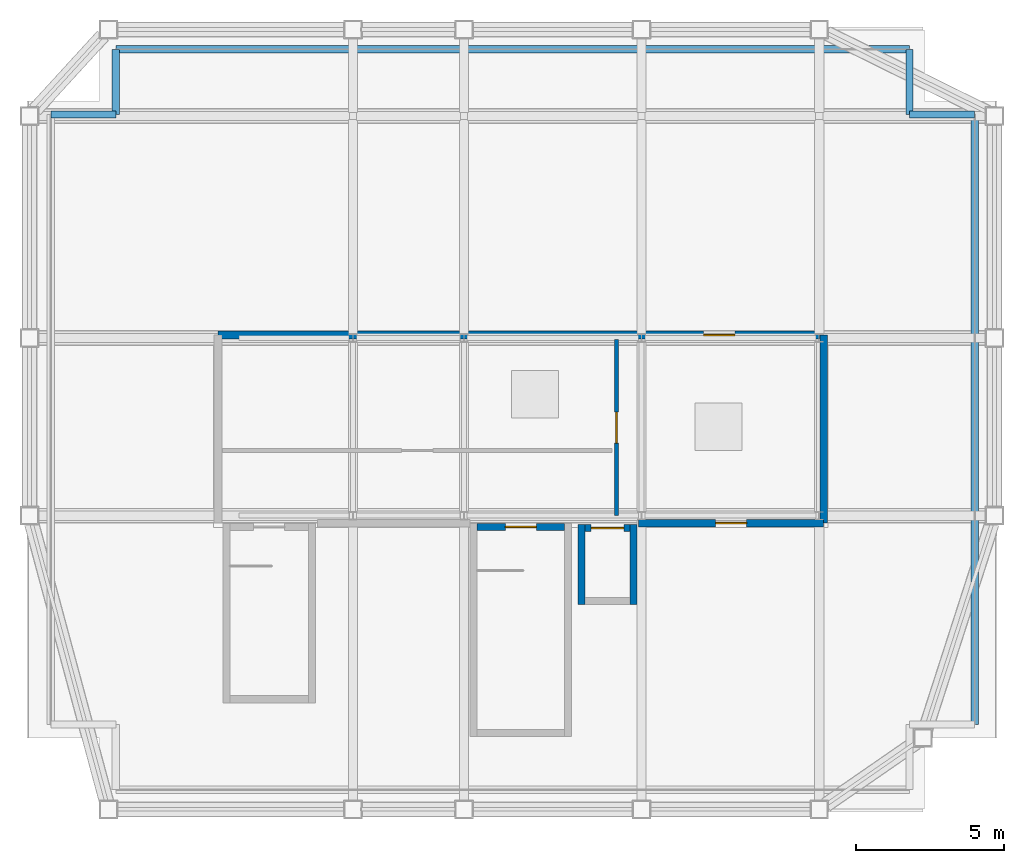
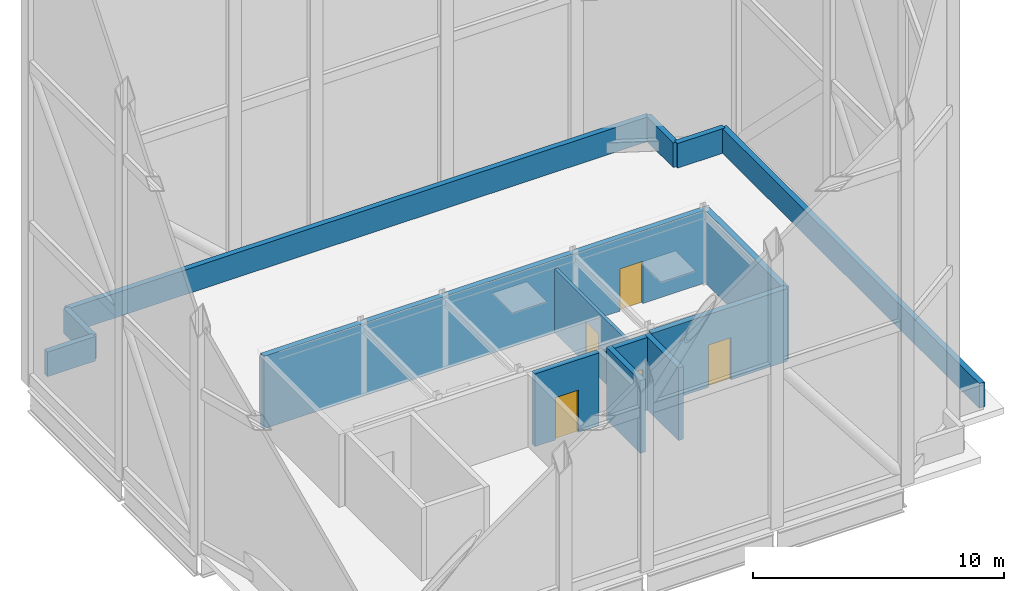
# One storey, part 4 of 6: 14 walls, 5 doors, 5 openings.
"""IFC4 building model written with IfcOpenShell, lengths in metres."""

from ifc_helpers import new_model, si_unit, direction, frame, frame_2d, origin, place, context, subcontext, project, spatial, rectangle, extrude, material, layer, layer_set, type_object, element, fill, save


model = new_model("IFC4")

# Units and contexts
model_context = context("Model", 3, precision=1e-05, world=origin(), true_north=direction((0.0, 1.0)))
body_context = subcontext(model_context, "Body", "Model", "MODEL_VIEW")
ifc_project = project(units=[si_unit("LENGTHUNIT", "METRE"), si_unit("AREAUNIT", "SQUARE_METRE"), si_unit("VOLUMEUNIT", "CUBIC_METRE"), si_unit("PLANEANGLEUNIT", "RADIAN"), si_unit("MASSUNIT", "GRAM", prefix="KILO")], contexts=[model_context])

# Site, building, storey
site_placement = place(None, origin())
site = spatial("IfcSite", under=ifc_project, at=site_placement, CompositionType="ELEMENT")
building_placement = place(site_placement, origin())
building = spatial("IfcBuilding", under=site, at=building_placement, Name="Brevholm Reach", CompositionType="ELEMENT")
storey_placement = place(building_placement, frame((0.0, 0.0, 251.449951171875)))
storey = spatial("IfcBuildingStorey", under=building, at=storey_placement, Name="RF", CompositionType="ELEMENT", Elevation=251.449951171875)

# Wall, opening, door
ifc_material_1 = material(Name="Concrete C45/55", Category="concrete")
ifc_layer_1 = layer(ifc_material_1, 0.239990234375)
ifc_layer_set_1 = layer_set([ifc_layer_1], Name="Concrete C45/55")
wall_type_1 = type_object("IfcWallType", Name="WAL-COR-240", PredefinedType="SHEAR", material=ifc_layer_set_1)
wall_1_placement = place(storey_placement, frame((45.39990234375, 9.6201171875, 0.0), z_axis=(0.0, 0.0, 1.0), x_axis=(-1.0, 0.0, 0.0)))
wall_1 = element("IfcWall", 1, at=wall_1_placement, inside=storey, type_object=wall_type_1, Name="RF Escape Stair ST-2 Core Wall N", PredefinedType="SHEAR", context=body_context, shape_type="SweptSolid", body=[
    extrude(rectangle(XDim=2.949951171875, YDim=0.239990234375, at=frame_2d((1.47509765625, 0.0))), origin(), (0.0, 0.0, 1.0), 3.5400390625),
])
opening_1_placement = place(wall_1_placement, frame((0.949951171875, 0.0, 0.0)))
opening_1 = element("IfcOpeningElement", 2, at=opening_1_placement, cuts=wall_1, Name="Opening SD-ST-2", PredefinedType="OPENING", context=body_context, shape_type="SweptSolid", body=[
    extrude(rectangle(XDim=1.050048828125, YDim=2.06005859375, at=frame_2d((0.52490234375, 1.030029296875))), frame((0.0, 0.1298828125, 0.0), z_axis=(0.0, -1.0, 0.0), x_axis=(1.0, 0.0, 0.0)), (0.0, 0.0, 1.0), 0.260009765625),
])
ifc_material_2 = material(Name="Hardwood-Lipped Steel-Core Fire and Smoke Door", Category="steel")
door_type_1 = type_object("IfcDoorType", Name="DOR-INT-FD60S", OperationType="NOTDEFINED", PredefinedType="DOOR", material=ifc_material_2)
door_1_placement = place(opening_1_placement, origin())
door_1 = element("IfcDoor", 3, at=door_1_placement, inside=storey, type_object=door_type_1, Name="RF Protected Stair ST-2 Lobby Door", OperationType="SINGLE_SWING_LEFT", OverallHeight=2.06005859375, OverallWidth=1.050048828125, PredefinedType="DOOR", context=body_context, shape_type="SweptSolid", body=[
    extrude(rectangle(XDim=1.050048828125, YDim=2.06005859375, at=frame_2d((0.52490234375, 1.030029296875))), frame((0.0, 0.02490234375, 0.0), z_axis=(0.0, -1.0, 0.0), x_axis=(1.0, 0.0, 0.0)), (0.0, 0.0, 1.0), 0.050048828125),
])
fill(opening_1, door_1)

# Walls
for number, where, z_axis, x_axis, name in (
    (4, (45.969970703125, 7.0, 0.0), (0.0, 0.0, 1.0), (0.0, 1.0, 0.0), "RF Lift FFL-2 Shaft Wall W"),
    (5, (47.72998046875, 7.0, 0.0), (0.0, 0.0, 1.0), (0.0, 1.0, 0.0), "RF Lift FFL-2 Shaft Wall E"),
):
    element("IfcWall", number, at=place(storey_placement, frame(where, z_axis=z_axis, x_axis=x_axis)), inside=storey, type_object=wall_type_1, Name=name, PredefinedType="SHEAR", context=body_context, shape_type="SweptSolid", body=[
        extrude(rectangle(XDim=2.699951171875, YDim=0.239990234375, at=frame_2d((1.35009765625, 0.0))), origin(), (0.0, 0.0, 1.0), 3.5400390625),
    ])

# Wall, opening, door
wall_2_placement = place(storey_placement, frame((46.090087890625, 9.580078125, 0.0), z_axis=(0.0, 0.0, 1.0), x_axis=(1.0, 0.0, 0.0)))
wall_2 = element("IfcWall", 6, at=wall_2_placement, inside=storey, type_object=wall_type_1, Name="RF Lift FFL-2 Shaft Wall N", PredefinedType="SHEAR", context=body_context, shape_type="SweptSolid", body=[
    extrude(rectangle(XDim=1.52001953125, YDim=0.239990234375, at=frame_2d((0.760009765625, 0.0))), origin(), (0.0, 0.0, 1.0), 3.5400390625),
])
opening_2_placement = place(wall_2_placement, frame((0.2099609375, 0.0, 0.0)))
opening_2 = element("IfcOpeningElement", 7, at=opening_2_placement, cuts=wall_2, Name="Opening LD-FFL-2", PredefinedType="OPENING", context=body_context, shape_type="SweptSolid", body=[
    extrude(rectangle(XDim=1.10009765625, YDim=2.06005859375, at=frame_2d((0.550048828125, 1.030029296875))), frame((0.0, 0.1298828125, 0.0), z_axis=(0.0, -1.0, 0.0), x_axis=(1.0, 0.0, 0.0)), (0.0, 0.0, 1.0), 0.260009765625),
])
ifc_material_3 = material(Name="Brushed Stainless Steel Fire-Rated Sliding Lift Door", Category="steel")
door_type_2 = type_object("IfcDoorType", Name="DOR-LFT-1100", OperationType="NOTDEFINED", PredefinedType="DOOR", material=ifc_material_3)
door_2_placement = place(opening_2_placement, origin())
door_2 = element("IfcDoor", 8, at=door_2_placement, inside=storey, type_object=door_type_2, Name="RF Lift FFL-2 Sliding Landing Door", OperationType="SLIDING_TO_LEFT", OverallHeight=2.06005859375, OverallWidth=1.10009765625, PredefinedType="DOOR", context=body_context, shape_type="SweptSolid", body=[
    extrude(rectangle(XDim=1.10009765625, YDim=2.06005859375, at=frame_2d((0.550048828125, 1.030029296875))), frame((0.0, 0.02490234375, 0.0), z_axis=(0.0, -1.0, 0.0), x_axis=(1.0, 0.0, 0.0)), (0.0, 0.0, 1.0), 0.050048828125),
])
fill(opening_2, door_2)

# Walls
ifc_material_4 = material(Name="Precast Concrete C40/50", Category="concrete")
ifc_layer_2 = layer(ifc_material_4, 0.25)
ifc_layer_set_2 = layer_set([ifc_layer_2], Name="Precast Concrete C40/50")
wall_type_2 = type_object("IfcWallType", Name="WAL-PAR-250", PredefinedType="PARAPET", material=ifc_layer_set_2)
wall_3_placement = place(storey_placement, frame((59.25, 2.949951171875, 0.0), z_axis=(0.0, 0.0, 1.0), x_axis=(0.0, 1.0, 0.0)))
element("IfcWall", 9, at=wall_3_placement, inside=storey, type_object=wall_type_2, Name="RF Facade Wall WAL-RF-PAR-04", PredefinedType="PARAPET", context=body_context, shape_type="SweptSolid", body=[
    extrude(rectangle(XDim=20.60009765625, YDim=0.25, at=frame_2d((10.300048828125, 0.0))), origin(), (0.0, 0.0, 1.0), 1.199951171875),
])
for number, where, z_axis, x_axis, name in (
    (10, (59.25, 23.550048828125, 0.0), (0.0, 0.0, 1.0), (-1.0, 0.0, 0.0), "RF Facade Wall WAL-RF-PAR-05"),
    (11, (57.050048828125, 23.550048828125, 0.0), (0.0, 0.0, 1.0), (0.0, 1.0, 0.0), "RF Facade Wall WAL-RF-PAR-06"),
):
    element("IfcWall", number, at=place(storey_placement, frame(where, z_axis=z_axis, x_axis=x_axis)), inside=storey, type_object=wall_type_2, Name=name, PredefinedType="PARAPET", context=body_context, shape_type="SweptSolid", body=[
        extrude(rectangle(XDim=2.199951171875, YDim=0.25, at=frame_2d((1.10009765625, 0.0))), origin(), (0.0, 0.0, 1.0), 1.199951171875),
    ])
wall_4_placement = place(storey_placement, frame((57.050048828125, 25.75, 0.0), z_axis=(0.0, 0.0, 1.0), x_axis=(-1.0, 0.0, 0.0)))
element("IfcWall", 12, at=wall_4_placement, inside=storey, type_object=wall_type_2, Name="RF Facade Wall WAL-RF-PAR-07", PredefinedType="PARAPET", context=body_context, shape_type="SweptSolid", body=[
    extrude(rectangle(XDim=26.800048828125, YDim=0.25, at=frame_2d((13.39990234375, 0.0))), origin(), (0.0, 0.0, 1.0), 1.199951171875),
])
for number, where, z_axis, x_axis, name in (
    (13, (30.25, 25.75, 0.0), (0.0, 0.0, 1.0), (0.0, -1.0, 0.0), "RF Facade Wall WAL-RF-PAR-08"),
    (14, (30.25, 23.550048828125, 0.0), (0.0, 0.0, 1.0), (-1.0, 0.0, 0.0), "RF Facade Wall WAL-RF-PAR-09"),
):
    element("IfcWall", number, at=place(storey_placement, frame(where, z_axis=z_axis, x_axis=x_axis)), inside=storey, type_object=wall_type_2, Name=name, PredefinedType="PARAPET", context=body_context, shape_type="SweptSolid", body=[
        extrude(rectangle(XDim=2.199951171875, YDim=0.25, at=frame_2d((1.10009765625, 0.0))), origin(), (0.0, 0.0, 1.0), 1.199951171875),
    ])

# Wall, opening, door
ifc_material_5 = material(Name="Twin-Stud Acoustic Fire-Rated Gypsum Partition 140 mm", Category="gypsum")
ifc_layer_3 = layer(ifc_material_5, 0.139892578125)
ifc_layer_set_3 = layer_set([ifc_layer_3], Name="Twin-Stud Acoustic Fire-Rated Gypsum Partition 140 mm")
wall_type_3 = type_object("IfcWallType", Name="WAL-PRT-140", PredefinedType="PARTITIONING", material=ifc_layer_set_3)
wall_5_placement = place(storey_placement, frame((47.14990234375, 10.0, 0.0), z_axis=(0.0, 0.0, 1.0), x_axis=(0.0, 1.0, 0.0)))
wall_5 = element("IfcWall", 15, at=wall_5_placement, inside=storey, type_object=wall_type_3, Name="RF Rooftop Plant House Wall M1", PredefinedType="PARTITIONING", context=body_context, shape_type="SweptSolid", body=[
    extrude(rectangle(XDim=5.949951171875, YDim=0.139892578125, at=frame_2d((2.97509765625, 0.0))), origin(), (0.0, 0.0, 1.0), 3.1201171875),
])
opening_3_placement = place(wall_5_placement, frame((2.449951171875, 0.0, 0.0)))
opening_3 = element("IfcOpeningElement", 16, at=opening_3_placement, cuts=wall_5, Name="Opening PD-RFM1", PredefinedType="OPENING", context=body_context, shape_type="SweptSolid", body=[
    extrude(rectangle(XDim=1.050048828125, YDim=2.06005859375, at=frame_2d((0.52490234375, 1.030029296875))), frame((0.0, 0.079833984375, 0.0), z_axis=(0.0, -1.0, 0.0), x_axis=(1.0, 0.0, 0.0)), (0.0, 0.0, 1.0), 0.159912109375),
])
door_3_placement = place(opening_3_placement, origin())
door_3 = element("IfcDoor", 17, at=door_3_placement, inside=storey, type_object=door_type_1, Name="RF Plant Room Access Door M1", OperationType="SINGLE_SWING_RIGHT", OverallHeight=2.06005859375, OverallWidth=1.050048828125, PredefinedType="DOOR", context=body_context, shape_type="SweptSolid", body=[
    extrude(rectangle(XDim=1.050048828125, YDim=2.06005859375, at=frame_2d((0.52490234375, 1.030029296875))), frame((0.0, 0.02490234375, 0.0), z_axis=(0.0, -1.0, 0.0), x_axis=(1.0, 0.0, 0.0)), (0.0, 0.0, 1.0), 0.050048828125),
])
fill(opening_3, door_3)

ifc_material_6 = material(Name="Precast Concrete C40/50", Category="concrete")
ifc_layer_4 = layer(ifc_material_6, 0.260009765625)
ifc_layer_set_4 = layer_set([ifc_layer_4], Name="Precast Concrete C40/50")
wall_type_4 = type_object("IfcWallType", Name="WAL-RFP-260", PredefinedType="STANDARD", material=ifc_layer_set_4)
wall_6_placement = place(storey_placement, frame((54.14990234375, 16.10009765625, 0.0), z_axis=(0.0, 0.0, 1.0), x_axis=(-1.0, 0.0, 0.0)))
wall_6 = element("IfcWall", 18, at=wall_6_placement, inside=storey, type_object=wall_type_4, Name="RF Rooftop Plant House Wall N1", PredefinedType="STANDARD", context=body_context, shape_type="SweptSolid", body=[
    extrude(rectangle(XDim=20.449951171875, YDim=0.260009765625, at=frame_2d((10.22509765625, 0.0))), origin(), (0.0, 0.0, 1.0), 3.5400390625),
])
opening_4_placement = place(wall_6_placement, frame((3.0, 0.0, 0.0)))
opening_4 = element("IfcOpeningElement", 19, at=opening_4_placement, cuts=wall_6, Name="Opening PD-RFN1", PredefinedType="OPENING", context=body_context, shape_type="SweptSolid", body=[
    extrude(rectangle(XDim=1.050048828125, YDim=2.06005859375, at=frame_2d((0.52490234375, 1.030029296875))), frame((0.0, 0.139892578125, 0.0), z_axis=(0.0, -1.0, 0.0), x_axis=(1.0, 0.0, 0.0)), (0.0, 0.0, 1.0), 0.280029296875),
])
door_4_placement = place(opening_4_placement, origin())
door_4 = element("IfcDoor", 20, at=door_4_placement, inside=storey, type_object=door_type_1, Name="RF Plant Room Access Door N1", OperationType="SINGLE_SWING_RIGHT", OverallHeight=2.06005859375, OverallWidth=1.050048828125, PredefinedType="DOOR", context=body_context, shape_type="SweptSolid", body=[
    extrude(rectangle(XDim=1.050048828125, YDim=2.06005859375, at=frame_2d((0.52490234375, 1.030029296875))), frame((0.0, 0.02490234375, 0.0), z_axis=(0.0, -1.0, 0.0), x_axis=(1.0, 0.0, 0.0)), (0.0, 0.0, 1.0), 0.050048828125),
])
fill(opening_4, door_4)

# Wall
wall_7_placement = place(storey_placement, frame((54.14990234375, 9.75, 0.0), z_axis=(0.0, 0.0, 1.0), x_axis=(0.0, 1.0, 0.0)))
element("IfcWall", 21, at=wall_7_placement, inside=storey, type_object=wall_type_4, Name="RF Rooftop Plant House Wall E1", PredefinedType="STANDARD", context=body_context, shape_type="SweptSolid", body=[
    extrude(rectangle(XDim=6.35009765625, YDim=0.260009765625, at=frame_2d((3.175048828125, 0.0))), origin(), (0.0, 0.0, 1.0), 3.5400390625),
])

# Wall, opening, door
wall_8_placement = place(storey_placement, frame((47.89990234375, 9.75, 0.0), z_axis=(0.0, 0.0, 1.0), x_axis=(1.0, 0.0, 0.0)))
wall_8 = element("IfcWall", 22, at=wall_8_placement, inside=storey, type_object=wall_type_4, Name="RF Rooftop Plant House Wall S1", PredefinedType="STANDARD", context=body_context, shape_type="SweptSolid", body=[
    extrude(rectangle(XDim=6.25, YDim=0.260009765625, at=frame_2d((3.125, 0.0))), origin(), (0.0, 0.0, 1.0), 3.5400390625),
])
opening_5_placement = place(wall_8_placement, frame((2.60009765625, 0.0, 0.0)))
opening_5 = element("IfcOpeningElement", 23, at=opening_5_placement, cuts=wall_8, Name="Opening PD-RFS1", PredefinedType="OPENING", context=body_context, shape_type="SweptSolid", body=[
    extrude(rectangle(XDim=1.050048828125, YDim=2.06005859375, at=frame_2d((0.52490234375, 1.030029296875))), frame((0.0, 0.139892578125, 0.0), z_axis=(0.0, -1.0, 0.0), x_axis=(1.0, 0.0, 0.0)), (0.0, 0.0, 1.0), 0.280029296875),
])
door_5_placement = place(opening_5_placement, origin())
door_5 = element("IfcDoor", 24, at=door_5_placement, inside=storey, type_object=door_type_1, Name="RF Plant Room Access Door S1", OperationType="SINGLE_SWING_LEFT", OverallHeight=2.06005859375, OverallWidth=1.050048828125, PredefinedType="DOOR", context=body_context, shape_type="SweptSolid", body=[
    extrude(rectangle(XDim=1.050048828125, YDim=2.06005859375, at=frame_2d((0.52490234375, 1.030029296875))), frame((0.0, 0.02490234375, 0.0), z_axis=(0.0, -1.0, 0.0), x_axis=(1.0, 0.0, 0.0)), (0.0, 0.0, 1.0), 0.050048828125),
])
fill(opening_5, door_5)

save(model, "model.ifc")
